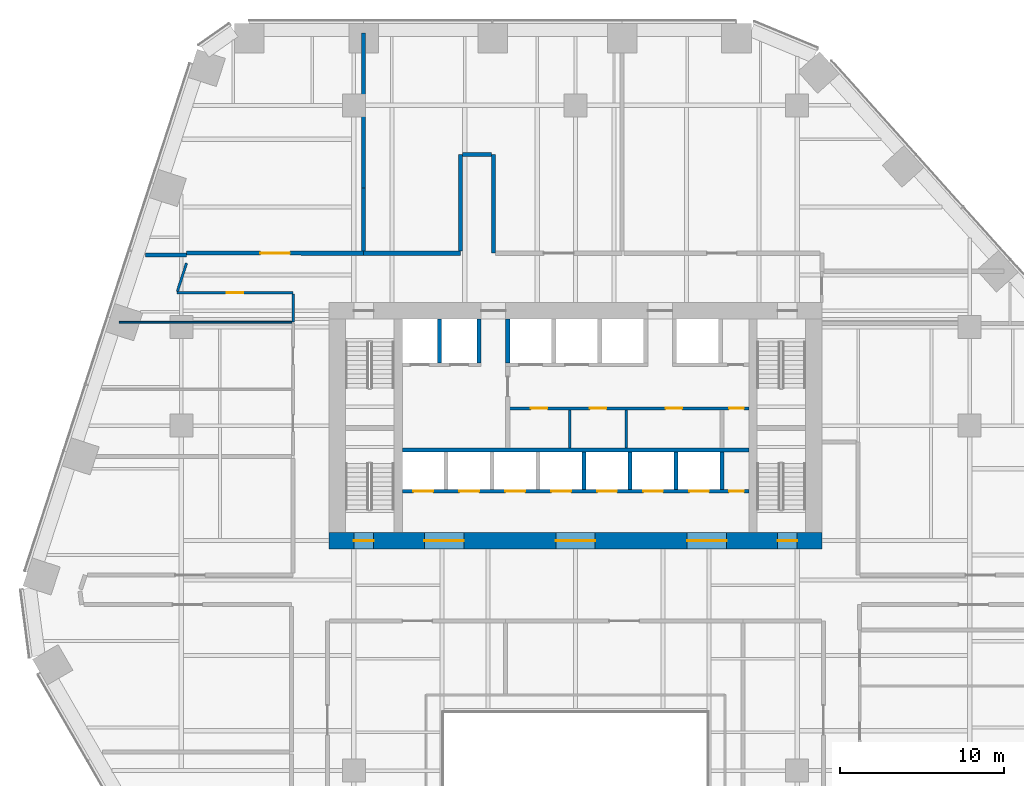
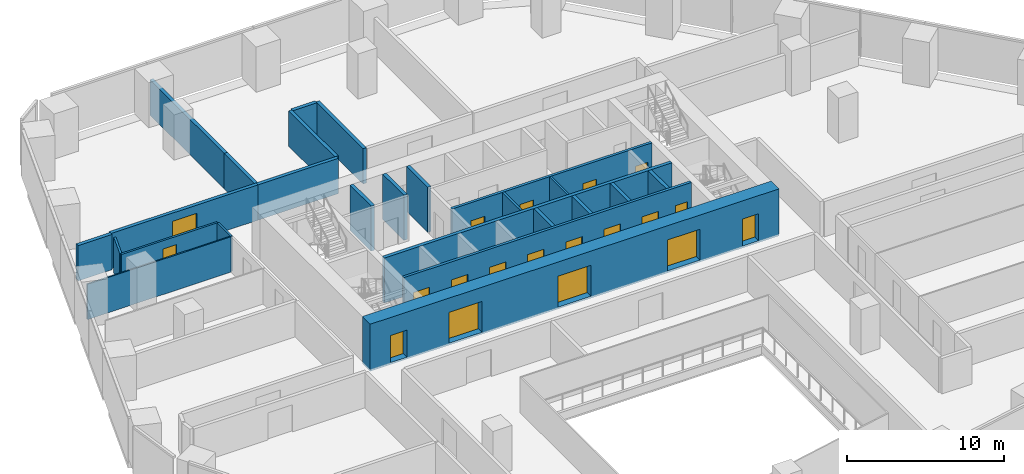
# One storey, part 15 of 20: 25 walls, 19 doors, 19 openings.
"""IFC4 building model written with IfcOpenShell, lengths in metres."""

from ifc_helpers import new_model, si_unit, direction, frame, frame_2d, origin, place, context, subcontext, project, spatial, rectangle, extrude, material, layer, layer_set, type_object, element, fill, save


model = new_model("IFC4")

# Units and contexts
model_context = context("Model", 3, precision=1e-05, world=origin(), true_north=direction((0.0, 1.0)))
body_context = subcontext(model_context, "Body", "Model", "MODEL_VIEW")
ifc_project = project(units=[si_unit("LENGTHUNIT", "METRE"), si_unit("AREAUNIT", "SQUARE_METRE"), si_unit("VOLUMEUNIT", "CUBIC_METRE"), si_unit("PLANEANGLEUNIT", "RADIAN"), si_unit("MASSUNIT", "GRAM", prefix="KILO")], contexts=[model_context])

# Site, building, storey
site_placement = place(None, origin())
site = spatial("IfcSite", under=ifc_project, at=site_placement, CompositionType="ELEMENT")
building_placement = place(site_placement, origin())
building = spatial("IfcBuilding", under=site, at=building_placement, Name="Isthmus Gate Tower", CompositionType="ELEMENT")
storey_placement = place(building_placement, frame((0.0, 0.0, 65.199951171875)))
storey = spatial("IfcBuildingStorey", under=building, at=storey_placement, Name="L14", CompositionType="ELEMENT", Elevation=65.199951171875)

# Wall
ifc_material_1 = material(Name="Double-leaf acoustic stud wall, fire-rated", Category="gypsum")
ifc_layer_1 = layer(ifc_material_1, 0.25)
ifc_layer_set_1 = layer_set([ifc_layer_1], Name="ACOUSTIC WALL 250 60 MIN")
wall_type_1 = type_object("IfcWallType", Name="ACOUSTIC WALL 250 60 MIN", PredefinedType="PARTITIONING", material=ifc_layer_set_1)
wall_1_placement = place(storey_placement, frame((-5.0, 24.0, 0.0), z_axis=(0.0, 0.0, 1.0), x_axis=(0.0, -1.0, 0.0)))
element("IfcWall", 1, at=wall_1_placement, inside=storey, type_object=wall_type_1, Name="L14 Acoustic Wall 250 60 Min", PredefinedType="PARTITIONING", context=body_context, shape_type="SweptSolid", body=[
    extrude(rectangle(XDim=6.0, YDim=0.25, at=frame_2d((3.0, 0.0))), origin(), (0.0, 0.0, 1.0), 2.7412109375),
])

# Wall, opening, door
wall_2_placement = place(storey_placement, frame((-23.68310546875, 18.001953125, 0.0), z_axis=(0.0, 0.0, 1.0), x_axis=(0.999999983581, -0.000181212763, 0.0)))
wall_2 = element("IfcWall", 2, at=wall_2_placement, inside=storey, type_object=wall_type_1, Name="L14 Acoustic Wall 250 60 Min", PredefinedType="PARTITIONING", context=body_context, shape_type="SweptSolid", body=[
    extrude(rectangle(XDim=10.778076171875, YDim=0.25, at=frame_2d((5.38916015625, 0.0))), origin(), (0.0, 0.0, 1.0), 2.7412109375),
])
opening_1_placement = place(wall_2_placement, frame((4.489013671875, 0.0, 0.0)))
opening_1 = element("IfcOpeningElement", 3, at=opening_1_placement, cuts=wall_2, Name="Opening DT-T1C-01", PredefinedType="OPENING", context=body_context, shape_type="SweptSolid", body=[
    extrude(rectangle(XDim=1.800048828125, YDim=2.10009765625, at=frame_2d((0.89990234375, 1.050048828125))), frame((0.0, 0.135009765625, 0.0), z_axis=(0.0, -1.0, 0.0), x_axis=(1.0, 0.0, 0.0)), (0.0, 0.0, 1.0), 0.27001953125),
])
ifc_material_2 = material(Name="Solid core timber door leaf, fire-rated", Category="wood")
door_type_1 = type_object("IfcDoorType", Name="FIRE DOOR ACOUSTIC ROOM 1800 X 2100 60 MIN", OperationType="DOUBLE_DOOR_DOUBLE_SWING", PredefinedType="DOOR", material=ifc_material_2)
door_1_placement = place(opening_1_placement, origin())
door_1 = element("IfcDoor", 4, at=door_1_placement, inside=storey, type_object=door_type_1, Name="L14 room door", OperationType="DOUBLE_DOOR_DOUBLE_SWING", OverallHeight=2.10009765625, OverallWidth=1.800048828125, PredefinedType="DOOR", context=body_context, shape_type="SweptSolid", body=[
    extrude(rectangle(XDim=1.800048828125, YDim=2.10009765625, at=frame_2d((0.89990234375, 1.050048828125))), frame((0.0, 0.02490234375, 0.0), z_axis=(0.0, -1.0, 0.0), x_axis=(1.0, 0.0, 0.0)), (0.0, 0.0, 1.0), 0.050048828125),
])
fill(opening_1, door_1)

# Walls
wall_3_placement = place(storey_placement, frame((-12.906982421875, 21.968017578125, 0.0), z_axis=(0.0, 0.0, 1.0), x_axis=(0.0, 1.0, 0.0)))
element("IfcWall", 5, at=wall_3_placement, inside=storey, type_object=wall_type_1, Name="L14 Acoustic Wall 250 60 Min", PredefinedType="PARTITIONING", context=body_context, shape_type="SweptSolid", body=[
    extrude(rectangle(XDim=9.431884765625, YDim=0.25, at=frame_2d((4.7158203125, 0.0))), origin(), (0.0, 0.0, 1.0), 2.7412109375),
])
wall_4_placement = place(storey_placement, frame((-26.169921875, 17.8828125, 0.0), z_axis=(0.0, 0.0, 1.0), x_axis=(0.999999763866, -0.000687217588, 0.0)))
element("IfcWall", 6, at=wall_4_placement, inside=storey, type_object=wall_type_1, Name="L14 Acoustic Wall 250 60 Min", PredefinedType="PARTITIONING", context=body_context, shape_type="SweptSolid", body=[
    extrude(rectangle(XDim=2.48681640625, YDim=0.25, at=frame_2d((1.243408203125, 0.0))), origin(), (0.0, 0.0, 1.0), 2.7412109375),
])
wall_5_placement = place(storey_placement, frame((-12.905029296875, 18.0, 0.0), z_axis=(0.0, 0.0, 1.0), x_axis=(1.0, 0.0, 0.0)))
element("IfcWall", 7, at=wall_5_placement, inside=storey, type_object=wall_type_1, Name="L14 Acoustic Wall 250 60 Min", PredefinedType="PARTITIONING", context=body_context, shape_type="SweptSolid", body=[
    extrude(rectangle(XDim=5.905029296875, YDim=0.25, at=frame_2d((2.95263671875, 0.0))), origin(), (0.0, 0.0, 1.0), 2.7412109375),
])
wall_6_placement = place(storey_placement, frame((-7.0, 18.125, 0.0), z_axis=(0.0, 0.0, 1.0), x_axis=(0.0, 1.0, 0.0)))
element("IfcWall", 8, at=wall_6_placement, inside=storey, type_object=wall_type_1, Name="L14 Acoustic Wall 250 60 Min", PredefinedType="PARTITIONING", context=body_context, shape_type="SweptSolid", body=[
    extrude(rectangle(XDim=5.875, YDim=0.25, at=frame_2d((2.9375, 0.0))), origin(), (0.0, 0.0, 1.0), 2.7412109375),
])
wall_7_placement = place(storey_placement, frame((-6.875, 24.0, 0.0), z_axis=(0.0, 0.0, 1.0), x_axis=(1.0, 0.0, 0.0)))
element("IfcWall", 9, at=wall_7_placement, inside=storey, type_object=wall_type_1, Name="L14 Acoustic Wall 250 60 Min", PredefinedType="PARTITIONING", context=body_context, shape_type="SweptSolid", body=[
    extrude(rectangle(XDim=1.75, YDim=0.25, at=frame_2d((0.875, 0.0))), origin(), (0.0, 0.0, 1.0), 2.7412109375),
])
wall_8_placement = place(storey_placement, frame((-12.906982421875, 21.968017578125, 0.0), z_axis=(0.0, 0.0, 1.0), x_axis=(0.000508226858, -0.999999870853, 0.0)))
element("IfcWall", 10, at=wall_8_placement, inside=storey, type_object=wall_type_1, Name="L14 Acoustic Wall 250 60 Min", PredefinedType="PARTITIONING", context=body_context, shape_type="SweptSolid", body=[
    extrude(rectangle(XDim=3.843017578125, YDim=0.25, at=frame_2d((1.92138671875, 0.0))), origin(), (0.0, 0.0, 1.0), 2.7412109375),
])

# Wall, opening, door
ifc_material_3 = material(Name="Gypsum board on steel studs, fire-rated", Category="steel")
ifc_layer_2 = layer(ifc_material_3, 0.14990234375)
ifc_layer_set_2 = layer_set([ifc_layer_2], Name="CORRIDOR WALL 150 60 MIN")
wall_type_2 = type_object("IfcWallType", Name="CORRIDOR WALL 150 60 MIN", PredefinedType="PARTITIONING", material=ifc_layer_set_2)
wall_9_placement = place(storey_placement, frame((-17.199951171875, 15.60009765625, 0.0), z_axis=(0.0, 0.0, 1.0), x_axis=(-1.0, 0.0, 0.0)))
wall_9 = element("IfcWall", 11, at=wall_9_placement, inside=storey, type_object=wall_type_2, Name="L14 Corridor Wall 150 60 Min", PredefinedType="PARTITIONING", context=body_context, shape_type="SweptSolid", body=[
    extrude(rectangle(XDim=7.068115234375, YDim=0.14990234375, at=frame_2d((3.5341796875, 0.0))), origin(), (0.0, 0.0, 1.0), 2.7412109375),
])
opening_2_placement = place(wall_9_placement, frame((3.033935546875, 0.0, 0.0)))
opening_2 = element("IfcOpeningElement", 12, at=opening_2_placement, cuts=wall_9, Name="Opening DT-T1C-04", PredefinedType="OPENING", context=body_context, shape_type="SweptSolid", body=[
    extrude(rectangle(XDim=1.0, YDim=2.10009765625, at=frame_2d((0.5, 1.050048828125))), frame((0.0, 0.0849609375, 0.0), z_axis=(0.0, -1.0, 0.0), x_axis=(1.0, 0.0, 0.0)), (0.0, 0.0, 1.0), 0.169921875),
])
ifc_material_4 = material(Name="Solid core timber door leaf, fire-rated", Category="wood")
door_type_2 = type_object("IfcDoorType", Name="FIRE DOOR ROOM 1000 X 2100 60 MIN", OperationType="SINGLE_SWING_LEFT", PredefinedType="DOOR", material=ifc_material_4)
door_2_placement = place(opening_2_placement, origin())
door_2 = element("IfcDoor", 13, at=door_2_placement, inside=storey, type_object=door_type_2, Name="L14 room door", OperationType="SINGLE_SWING_RIGHT", OverallHeight=2.10009765625, OverallWidth=1.0, PredefinedType="DOOR", context=body_context, shape_type="SweptSolid", body=[
    extrude(rectangle(XDim=1.0, YDim=2.10009765625, at=frame_2d((0.5, 1.050048828125))), frame((0.0, 0.02490234375, 0.0), z_axis=(0.0, -1.0, 0.0), x_axis=(1.0, 0.0, 0.0)), (0.0, 0.0, 1.0), 0.050048828125),
])
fill(opening_2, door_2)

# Walls
wall_10_placement = place(storey_placement, frame((-24.244873046875, 15.67138671875, 0.0), z_axis=(0.0, 0.0, 1.0), x_axis=(0.309086072338, 0.951034068731, 0.0)))
element("IfcWall", 14, at=wall_10_placement, inside=storey, type_object=wall_type_2, Name="L14 Corridor Wall 150 60 Min", PredefinedType="PARTITIONING", context=body_context, shape_type="SweptSolid", body=[
    extrude(rectangle(XDim=1.817626953125, YDim=0.14990234375, at=frame_2d((0.90869140625, 0.0))), origin(), (0.0, 0.0, 1.0), 2.7412109375),
])
wall_11_placement = place(storey_placement, frame((-17.199951171875, 13.799072265625, 0.0), z_axis=(0.0, 0.0, 1.0), x_axis=(0.0, 1.0, 0.0)))
element("IfcWall", 15, at=wall_11_placement, inside=storey, type_object=wall_type_2, Name="L14 Corridor Wall 150 60 Min", PredefinedType="PARTITIONING", context=body_context, shape_type="SweptSolid", body=[
    extrude(rectangle(XDim=1.725830078125, YDim=0.14990234375, at=frame_2d((0.86279296875, 0.0))), origin(), (0.0, 0.0, 1.0), 2.7412109375),
])

# Wall, openings, doors
ifc_material_5 = material(Name="Concrete f'c 70 MPa", Category="concrete")
ifc_layer_3 = layer(ifc_material_5, 1.0)
ifc_layer_set_3 = layer_set([ifc_layer_3], Name="RC CORE WALL 1000 F'C 70")
wall_type_3 = type_object("IfcWallType", Name="RC CORE WALL 1000 F'C 70", PredefinedType="SOLIDWALL", material=ifc_layer_set_3)
wall_12_placement = place(storey_placement, frame((-15.0, 0.5, -0.14990234375), z_axis=(0.0, 0.0, 1.0), x_axis=(1.0, 0.0, 0.0)))
wall_12 = element("IfcWall", 16, at=wall_12_placement, inside=storey, type_object=wall_type_3, Name="str-corewall-L14-S", PredefinedType="SOLIDWALL", context=body_context, shape_type="SweptSolid", body=[
    extrude(rectangle(XDim=30.0, YDim=1.0, at=frame_2d((15.0, 0.0))), origin(), (0.0, 0.0, 1.0), 3.64990234375),
])
opening_3_placement = place(wall_12_placement, frame((5.800048828125, 0.0, 0.14990234375)))
opening_3 = element("IfcOpeningElement", 17, at=opening_3_placement, cuts=wall_12, Name="Opening DC-A03-08", PredefinedType="OPENING", context=body_context, shape_type="SweptSolid", body=[
    extrude(rectangle(XDim=2.39990234375, YDim=2.39990234375, at=frame_2d((1.199951171875, 1.199951171875))), frame((0.0, 0.510009765625, 0.0), z_axis=(0.0, -1.0, 0.0), x_axis=(1.0, 0.0, 0.0)), (0.0, 0.0, 1.0), 1.02001953125),
])
opening_4_placement = place(wall_12_placement, frame((13.800048828125, 0.0, 0.14990234375)))
opening_4 = element("IfcOpeningElement", 18, at=opening_4_placement, cuts=wall_12, Name="Opening DC-A03-09", PredefinedType="OPENING", context=body_context, shape_type="SweptSolid", body=[
    extrude(rectangle(XDim=2.39990234375, YDim=2.39990234375, at=frame_2d((1.199951171875, 1.199951171875))), frame((0.0, 0.510009765625, 0.0), z_axis=(0.0, -1.0, 0.0), x_axis=(1.0, 0.0, 0.0)), (0.0, 0.0, 1.0), 1.02001953125),
])
opening_5_placement = place(wall_12_placement, frame((21.800048828125, 0.0, 0.14990234375)))
opening_5 = element("IfcOpeningElement", 19, at=opening_5_placement, cuts=wall_12, Name="Opening DC-A03-10", PredefinedType="OPENING", context=body_context, shape_type="SweptSolid", body=[
    extrude(rectangle(XDim=2.39990234375, YDim=2.39990234375, at=frame_2d((1.199951171875, 1.199951171875))), frame((0.0, 0.510009765625, 0.0), z_axis=(0.0, -1.0, 0.0), x_axis=(1.0, 0.0, 0.0)), (0.0, 0.0, 1.0), 1.02001953125),
])
opening_6_placement = place(wall_12_placement, frame((1.5, 0.0, 0.14990234375)))
opening_6 = element("IfcOpeningElement", 20, at=opening_6_placement, cuts=wall_12, Name="Opening DC-A03-15", PredefinedType="OPENING", context=body_context, shape_type="SweptSolid", body=[
    extrude(rectangle(XDim=1.199951171875, YDim=2.10009765625, at=frame_2d((0.60009765625, 1.050048828125))), frame((0.0, 0.510009765625, 0.0), z_axis=(0.0, -1.0, 0.0), x_axis=(1.0, 0.0, 0.0)), (0.0, 0.0, 1.0), 1.02001953125),
])
opening_7_placement = place(wall_12_placement, frame((27.300048828125, 0.0, 0.14990234375)))
opening_7 = element("IfcOpeningElement", 21, at=opening_7_placement, cuts=wall_12, Name="Opening DC-A03-16", PredefinedType="OPENING", context=body_context, shape_type="SweptSolid", body=[
    extrude(rectangle(XDim=1.199951171875, YDim=2.10009765625, at=frame_2d((0.60009765625, 1.050048828125))), frame((0.0, 0.510009765625, 0.0), z_axis=(0.0, -1.0, 0.0), x_axis=(1.0, 0.0, 0.0)), (0.0, 0.0, 1.0), 1.02001953125),
])
ifc_material_6 = material(Name="Laminated safety glass in steel frame, fire-rated", Category="steel")
door_type_3 = type_object("IfcDoorType", Name="LOBBY ENTRANCE FIRE DOOR 2400 X 2400 60 MIN", OperationType="DOUBLE_DOOR_DOUBLE_SWING", PredefinedType="DOOR", material=ifc_material_6)
door_3_placement = place(opening_3_placement, origin())
door_3 = element("IfcDoor", 22, at=door_3_placement, inside=storey, type_object=door_type_3, Name="Lobby Entrance PS-W", OperationType="DOUBLE_DOOR_DOUBLE_SWING", OverallHeight=2.39990234375, OverallWidth=2.39990234375, PredefinedType="DOOR", context=body_context, shape_type="SweptSolid", body=[
    extrude(rectangle(XDim=2.39990234375, YDim=2.39990234375, at=frame_2d((1.199951171875, 1.199951171875))), frame((0.0, 0.02490234375, 0.0), z_axis=(0.0, -1.0, 0.0), x_axis=(1.0, 0.0, 0.0)), (0.0, 0.0, 1.0), 0.050048828125),
])
fill(opening_3, door_3)
door_4_placement = place(opening_4_placement, origin())
door_4 = element("IfcDoor", 23, at=door_4_placement, inside=storey, type_object=door_type_3, Name="Lobby Entrance PS-C", OperationType="DOUBLE_DOOR_DOUBLE_SWING", OverallHeight=2.39990234375, OverallWidth=2.39990234375, PredefinedType="DOOR", context=body_context, shape_type="SweptSolid", body=[
    extrude(rectangle(XDim=2.39990234375, YDim=2.39990234375, at=frame_2d((1.199951171875, 1.199951171875))), frame((0.0, 0.02490234375, 0.0), z_axis=(0.0, -1.0, 0.0), x_axis=(1.0, 0.0, 0.0)), (0.0, 0.0, 1.0), 0.050048828125),
])
fill(opening_4, door_4)
door_5_placement = place(opening_5_placement, origin())
door_5 = element("IfcDoor", 24, at=door_5_placement, inside=storey, type_object=door_type_3, Name="Lobby Entrance PS-E", OperationType="DOUBLE_DOOR_DOUBLE_SWING", OverallHeight=2.39990234375, OverallWidth=2.39990234375, PredefinedType="DOOR", context=body_context, shape_type="SweptSolid", body=[
    extrude(rectangle(XDim=2.39990234375, YDim=2.39990234375, at=frame_2d((1.199951171875, 1.199951171875))), frame((0.0, 0.02490234375, 0.0), z_axis=(0.0, -1.0, 0.0), x_axis=(1.0, 0.0, 0.0)), (0.0, 0.0, 1.0), 0.050048828125),
])
fill(opening_5, door_5)
ifc_material_7 = material(Name="Steel door leaf, fire-rated", Category="steel")
door_type_4 = type_object("IfcDoorType", Name="STAIR FIRE DOOR 1200 X 2100 90 MIN", OperationType="SINGLE_SWING_LEFT", PredefinedType="DOOR", material=ifc_material_7)
door_6_placement = place(opening_6_placement, origin())
door_6 = element("IfcDoor", 25, at=door_6_placement, inside=storey, type_object=door_type_4, Name="Exit Stair 7 Door", OperationType="SINGLE_SWING_LEFT", OverallHeight=2.10009765625, OverallWidth=1.199951171875, PredefinedType="DOOR", context=body_context, shape_type="SweptSolid", body=[
    extrude(rectangle(XDim=1.199951171875, YDim=2.10009765625, at=frame_2d((0.60009765625, 1.050048828125))), frame((0.0, 0.02490234375, 0.0), z_axis=(0.0, -1.0, 0.0), x_axis=(1.0, 0.0, 0.0)), (0.0, 0.0, 1.0), 0.050048828125),
])
fill(opening_6, door_6)
door_7_placement = place(opening_7_placement, origin())
door_7 = element("IfcDoor", 26, at=door_7_placement, inside=storey, type_object=door_type_4, Name="Exit Stair 8 Door", OperationType="SINGLE_SWING_RIGHT", OverallHeight=2.10009765625, OverallWidth=1.199951171875, PredefinedType="DOOR", context=body_context, shape_type="SweptSolid", body=[
    extrude(rectangle(XDim=1.199951171875, YDim=2.10009765625, at=frame_2d((0.60009765625, 1.050048828125))), frame((0.0, 0.02490234375, 0.0), z_axis=(0.0, -1.0, 0.0), x_axis=(1.0, 0.0, 0.0)), (0.0, 0.0, 1.0), 0.050048828125),
])
fill(opening_7, door_7)

# Walls
ifc_material_8 = material(Name="Gypsum board on steel studs, fire-rated", Category="steel")
ifc_layer_4 = layer(ifc_material_8, 0.10009765625)
ifc_layer_set_4 = layer_set([ifc_layer_4], Name="ROOM PARTITION 100 30 MIN")
wall_type_4 = type_object("IfcWallType", Name="ROOM PARTITION 100 30 MIN", PredefinedType="PARTITIONING", material=ifc_layer_set_4)
wall_13_placement = place(storey_placement, frame((-27.797119140625, 13.799072265625, 0.0), z_axis=(0.0, 0.0, 1.0), x_axis=(1.0, 0.0, 0.0)))
element("IfcWall", 27, at=wall_13_placement, inside=storey, type_object=wall_type_4, Name="L14 Room Partition 100 30 Min", PredefinedType="PARTITIONING", context=body_context, shape_type="SweptSolid", body=[
    extrude(rectangle(XDim=10.522216796875, YDim=0.10009765625, at=frame_2d((5.26123046875, 0.0))), origin(), (0.0, 0.0, 1.0), 2.7412109375),
])
ifc_material_9 = material(Name="Gypsum board on steel studs, fire-rated", Category="steel")
ifc_layer_5 = layer(ifc_material_9, 0.14990234375)
ifc_layer_set_5 = layer_set([ifc_layer_5], Name="ROOM PARTITION 150 60 MIN")
wall_type_5 = type_object("IfcWallType", Name="ROOM PARTITION 150 60 MIN", PredefinedType="PARTITIONING", material=ifc_layer_set_5)
for number, where, z_axis, x_axis, name in (
    (28, (-0.35009765625, 6.14990234375, 0.0), (0.0, 0.0, 1.0), (0.0, 1.0, 0.0), "L14 ROOM PARTITION 150 60 MIN"),
    (29, (3.10009765625, 6.14990234375, 0.0), (0.0, 0.0, 1.0), (0.0, 1.0, 0.0), "L14 ROOM PARTITION 150 60 MIN"),
):
    element("IfcWall", number, at=place(storey_placement, frame(where, z_axis=z_axis, x_axis=x_axis)), inside=storey, type_object=wall_type_5, Name=name, PredefinedType="PARTITIONING", context=body_context, shape_type="SweptSolid", body=[
        extrude(rectangle(XDim=2.300048828125, YDim=0.14990234375, at=frame_2d((1.14990234375, 0.0))), origin(), (0.0, 0.0, 1.0), 3.5),
    ])

# Wall, openings, doors
ifc_material_10 = material(Name="Fire-rated blockwork masonry, 15 MPa", Category="masonry")
ifc_layer_6 = layer(ifc_material_10, 0.199951171875)
ifc_layer_set_6 = layer_set([ifc_layer_6], Name="SHAFT FRONT WALL 200 120 MIN")
wall_type_6 = type_object("IfcWallType", Name="SHAFT FRONT WALL 200 120 MIN", PredefinedType="PARTITIONING", material=ifc_layer_set_6)
wall_14_placement = place(storey_placement, frame((-10.550048828125, 3.5, 0.0), z_axis=(0.0, 0.0, 1.0), x_axis=(1.0, 0.0, 0.0)))
wall_14 = element("IfcWall", 30, at=wall_14_placement, inside=storey, type_object=wall_type_6, Name="L14 SHAFT FRONT WALL 200 120 MIN", PredefinedType="PARTITIONING", context=body_context, shape_type="SweptSolid", body=[
    extrude(rectangle(XDim=21.10009765625, YDim=0.199951171875, at=frame_2d((10.550048828125, 0.0))), origin(), (0.0, 0.0, 1.0), 3.5),
])
opening_8_placement = place(wall_14_placement, frame((0.675048828125, 0.0, 0.0)))
opening_8 = element("IfcOpeningElement", 31, at=opening_8_placement, cuts=wall_14, Name="Opening LD-LA1", PredefinedType="OPENING", context=body_context, shape_type="SweptSolid", body=[
    extrude(rectangle(XDim=1.199951171875, YDim=2.10009765625, at=frame_2d((0.60009765625, 1.050048828125))), frame((0.0, 0.10986328125, 0.0), z_axis=(0.0, -1.0, 0.0), x_axis=(1.0, 0.0, 0.0)), (0.0, 0.0, 1.0), 0.219970703125),
])
opening_9_placement = place(wall_14_placement, frame((3.47509765625, 0.0, 0.0)))
opening_9 = element("IfcOpeningElement", 32, at=opening_9_placement, cuts=wall_14, Name="Opening LD-LA2", PredefinedType="OPENING", context=body_context, shape_type="SweptSolid", body=[
    extrude(rectangle(XDim=1.199951171875, YDim=2.10009765625, at=frame_2d((0.60009765625, 1.050048828125))), frame((0.0, 0.10986328125, 0.0), z_axis=(0.0, -1.0, 0.0), x_axis=(1.0, 0.0, 0.0)), (0.0, 0.0, 1.0), 0.219970703125),
])
opening_10_placement = place(wall_14_placement, frame((6.27490234375, 0.0, 0.0)))
opening_10 = element("IfcOpeningElement", 33, at=opening_10_placement, cuts=wall_14, Name="Opening LD-LA3", PredefinedType="OPENING", context=body_context, shape_type="SweptSolid", body=[
    extrude(rectangle(XDim=1.199951171875, YDim=2.10009765625, at=frame_2d((0.60009765625, 1.050048828125))), frame((0.0, 0.10986328125, 0.0), z_axis=(0.0, -1.0, 0.0), x_axis=(1.0, 0.0, 0.0)), (0.0, 0.0, 1.0), 0.219970703125),
])
opening_11_placement = place(wall_14_placement, frame((9.074951171875, 0.0, 0.0)))
opening_11 = element("IfcOpeningElement", 34, at=opening_11_placement, cuts=wall_14, Name="Opening LD-LA4", PredefinedType="OPENING", context=body_context, shape_type="SweptSolid", body=[
    extrude(rectangle(XDim=1.199951171875, YDim=2.10009765625, at=frame_2d((0.60009765625, 1.050048828125))), frame((0.0, 0.10986328125, 0.0), z_axis=(0.0, -1.0, 0.0), x_axis=(1.0, 0.0, 0.0)), (0.0, 0.0, 1.0), 0.219970703125),
])
opening_12_placement = place(wall_14_placement, frame((11.875, 0.0, 0.0)))
opening_12 = element("IfcOpeningElement", 35, at=opening_12_placement, cuts=wall_14, Name="Opening LD-LA5", PredefinedType="OPENING", context=body_context, shape_type="SweptSolid", body=[
    extrude(rectangle(XDim=1.199951171875, YDim=2.10009765625, at=frame_2d((0.60009765625, 1.050048828125))), frame((0.0, 0.10986328125, 0.0), z_axis=(0.0, -1.0, 0.0), x_axis=(1.0, 0.0, 0.0)), (0.0, 0.0, 1.0), 0.219970703125),
])
opening_13_placement = place(wall_14_placement, frame((14.675048828125, 0.0, 0.0)))
opening_13 = element("IfcOpeningElement", 36, at=opening_13_placement, cuts=wall_14, Name="Opening LD-LA6", PredefinedType="OPENING", context=body_context, shape_type="SweptSolid", body=[
    extrude(rectangle(XDim=1.199951171875, YDim=2.10009765625, at=frame_2d((0.60009765625, 1.050048828125))), frame((0.0, 0.10986328125, 0.0), z_axis=(0.0, -1.0, 0.0), x_axis=(1.0, 0.0, 0.0)), (0.0, 0.0, 1.0), 0.219970703125),
])
opening_14_placement = place(wall_14_placement, frame((17.47509765625, 0.0, 0.0)))
opening_14 = element("IfcOpeningElement", 37, at=opening_14_placement, cuts=wall_14, Name="Opening LD-LA7", PredefinedType="OPENING", context=body_context, shape_type="SweptSolid", body=[
    extrude(rectangle(XDim=1.199951171875, YDim=2.10009765625, at=frame_2d((0.60009765625, 1.050048828125))), frame((0.0, 0.10986328125, 0.0), z_axis=(0.0, -1.0, 0.0), x_axis=(1.0, 0.0, 0.0)), (0.0, 0.0, 1.0), 0.219970703125),
])
opening_15_placement = place(wall_14_placement, frame((19.89990234375, 0.0, 0.0)))
opening_15 = element("IfcOpeningElement", 38, at=opening_15_placement, cuts=wall_14, Name="Opening DC-A03-02", PredefinedType="OPENING", context=body_context, shape_type="SweptSolid", body=[
    extrude(rectangle(XDim=0.89990234375, YDim=2.10009765625, at=frame_2d((0.449951171875, 1.050048828125))), frame((0.0, 0.10986328125, 0.0), z_axis=(0.0, -1.0, 0.0), x_axis=(1.0, 0.0, 0.0)), (0.0, 0.0, 1.0), 0.219970703125),
])
ifc_material_11 = material(Name="Stainless steel sliding leaf", Category="steel")
door_type_5 = type_object("IfcDoorType", Name="LIFT LANDING FIRE DOOR 1200 X 2100 90 MIN", OperationType="DOUBLE_DOOR_SLIDING", PredefinedType="DOOR", material=ifc_material_11)
door_8_placement = place(opening_8_placement, origin())
door_8 = element("IfcDoor", 39, at=door_8_placement, inside=storey, type_object=door_type_5, Name="Lift Landing Door LA1", OperationType="DOUBLE_DOOR_SLIDING", OverallHeight=2.10009765625, OverallWidth=1.199951171875, PredefinedType="DOOR", context=body_context, shape_type="SweptSolid", body=[
    extrude(rectangle(XDim=1.199951171875, YDim=2.10009765625, at=frame_2d((0.60009765625, 1.050048828125))), frame((0.0, 0.02490234375, 0.0), z_axis=(0.0, -1.0, 0.0), x_axis=(1.0, 0.0, 0.0)), (0.0, 0.0, 1.0), 0.050048828125),
])
fill(opening_8, door_8)
door_9_placement = place(opening_9_placement, origin())
door_9 = element("IfcDoor", 40, at=door_9_placement, inside=storey, type_object=door_type_5, Name="Lift Landing Door LA2", OperationType="DOUBLE_DOOR_SLIDING", OverallHeight=2.10009765625, OverallWidth=1.199951171875, PredefinedType="DOOR", context=body_context, shape_type="SweptSolid", body=[
    extrude(rectangle(XDim=1.199951171875, YDim=2.10009765625, at=frame_2d((0.60009765625, 1.050048828125))), frame((0.0, 0.02490234375, 0.0), z_axis=(0.0, -1.0, 0.0), x_axis=(1.0, 0.0, 0.0)), (0.0, 0.0, 1.0), 0.050048828125),
])
fill(opening_9, door_9)
door_10_placement = place(opening_10_placement, origin())
door_10 = element("IfcDoor", 41, at=door_10_placement, inside=storey, type_object=door_type_5, Name="Lift Landing Door LA3", OperationType="DOUBLE_DOOR_SLIDING", OverallHeight=2.10009765625, OverallWidth=1.199951171875, PredefinedType="DOOR", context=body_context, shape_type="SweptSolid", body=[
    extrude(rectangle(XDim=1.199951171875, YDim=2.10009765625, at=frame_2d((0.60009765625, 1.050048828125))), frame((0.0, 0.02490234375, 0.0), z_axis=(0.0, -1.0, 0.0), x_axis=(1.0, 0.0, 0.0)), (0.0, 0.0, 1.0), 0.050048828125),
])
fill(opening_10, door_10)
door_11_placement = place(opening_11_placement, origin())
door_11 = element("IfcDoor", 42, at=door_11_placement, inside=storey, type_object=door_type_5, Name="Lift Landing Door LA4", OperationType="DOUBLE_DOOR_SLIDING", OverallHeight=2.10009765625, OverallWidth=1.199951171875, PredefinedType="DOOR", context=body_context, shape_type="SweptSolid", body=[
    extrude(rectangle(XDim=1.199951171875, YDim=2.10009765625, at=frame_2d((0.60009765625, 1.050048828125))), frame((0.0, 0.02490234375, 0.0), z_axis=(0.0, -1.0, 0.0), x_axis=(1.0, 0.0, 0.0)), (0.0, 0.0, 1.0), 0.050048828125),
])
fill(opening_11, door_11)
door_12_placement = place(opening_12_placement, origin())
door_12 = element("IfcDoor", 43, at=door_12_placement, inside=storey, type_object=door_type_5, Name="Lift Landing Door LA5", OperationType="DOUBLE_DOOR_SLIDING", OverallHeight=2.10009765625, OverallWidth=1.199951171875, PredefinedType="DOOR", context=body_context, shape_type="SweptSolid", body=[
    extrude(rectangle(XDim=1.199951171875, YDim=2.10009765625, at=frame_2d((0.60009765625, 1.050048828125))), frame((0.0, 0.02490234375, 0.0), z_axis=(0.0, -1.0, 0.0), x_axis=(1.0, 0.0, 0.0)), (0.0, 0.0, 1.0), 0.050048828125),
])
fill(opening_12, door_12)
door_13_placement = place(opening_13_placement, origin())
door_13 = element("IfcDoor", 44, at=door_13_placement, inside=storey, type_object=door_type_5, Name="Lift Landing Door LA6", OperationType="DOUBLE_DOOR_SLIDING", OverallHeight=2.10009765625, OverallWidth=1.199951171875, PredefinedType="DOOR", context=body_context, shape_type="SweptSolid", body=[
    extrude(rectangle(XDim=1.199951171875, YDim=2.10009765625, at=frame_2d((0.60009765625, 1.050048828125))), frame((0.0, 0.02490234375, 0.0), z_axis=(0.0, -1.0, 0.0), x_axis=(1.0, 0.0, 0.0)), (0.0, 0.0, 1.0), 0.050048828125),
])
fill(opening_13, door_13)
door_14_placement = place(opening_14_placement, origin())
door_14 = element("IfcDoor", 45, at=door_14_placement, inside=storey, type_object=door_type_5, Name="Lift Landing Door LA7", OperationType="DOUBLE_DOOR_SLIDING", OverallHeight=2.10009765625, OverallWidth=1.199951171875, PredefinedType="DOOR", context=body_context, shape_type="SweptSolid", body=[
    extrude(rectangle(XDim=1.199951171875, YDim=2.10009765625, at=frame_2d((0.60009765625, 1.050048828125))), frame((0.0, 0.02490234375, 0.0), z_axis=(0.0, -1.0, 0.0), x_axis=(1.0, 0.0, 0.0)), (0.0, 0.0, 1.0), 0.050048828125),
])
fill(opening_14, door_14)
ifc_material_12 = material(Name="Steel door leaf, fire-rated", Category="steel")
door_type_6 = type_object("IfcDoorType", Name="RISER FIRE DOOR 900 X 2100 90 MIN", OperationType="SINGLE_SWING_LEFT", PredefinedType="DOOR", material=ifc_material_12)
door_15_placement = place(opening_15_placement, origin())
door_15 = element("IfcDoor", 46, at=door_15_placement, inside=storey, type_object=door_type_6, Name="Riser Door", OperationType="SINGLE_SWING_RIGHT", OverallHeight=2.10009765625, OverallWidth=0.89990234375, PredefinedType="DOOR", context=body_context, shape_type="SweptSolid", body=[
    extrude(rectangle(XDim=0.89990234375, YDim=2.10009765625, at=frame_2d((0.449951171875, 1.050048828125))), frame((0.0, 0.02490234375, 0.0), z_axis=(0.0, -1.0, 0.0), x_axis=(1.0, 0.0, 0.0)), (0.0, 0.0, 1.0), 0.050048828125),
])
fill(opening_15, door_15)

wall_15_placement = place(storey_placement, frame((-4.125, 8.550048828125, 0.0), z_axis=(0.0, 0.0, 1.0), x_axis=(1.0, 0.0, 0.0)))
wall_15 = element("IfcWall", 47, at=wall_15_placement, inside=storey, type_object=wall_type_6, Name="L14 SHAFT FRONT WALL 200 120 MIN", PredefinedType="PARTITIONING", context=body_context, shape_type="SweptSolid", body=[
    extrude(rectangle(XDim=14.675048828125, YDim=0.199951171875, at=frame_2d((7.33740234375, 0.0))), origin(), (0.0, 0.0, 1.0), 3.5),
])
opening_16_placement = place(wall_15_placement, frame((1.41259765625, 0.0, 0.0)))
opening_16 = element("IfcOpeningElement", 48, at=opening_16_placement, cuts=wall_15, Name="Opening DC-A03-03", PredefinedType="OPENING", context=body_context, shape_type="SweptSolid", body=[
    extrude(rectangle(XDim=1.0, YDim=2.10009765625, at=frame_2d((0.5, 1.050048828125))), frame((0.0, 0.10986328125, 0.0), z_axis=(0.0, -1.0, 0.0), x_axis=(1.0, 0.0, 0.0)), (0.0, 0.0, 1.0), 0.219970703125),
])
opening_17_placement = place(wall_15_placement, frame((5.0, 0.0, 0.0)))
opening_17 = element("IfcOpeningElement", 49, at=opening_17_placement, cuts=wall_15, Name="Opening DC-A03-04", PredefinedType="OPENING", context=body_context, shape_type="SweptSolid", body=[
    extrude(rectangle(XDim=1.0, YDim=2.10009765625, at=frame_2d((0.5, 1.050048828125))), frame((0.0, 0.10986328125, 0.0), z_axis=(0.0, -1.0, 0.0), x_axis=(1.0, 0.0, 0.0)), (0.0, 0.0, 1.0), 0.219970703125),
])
opening_18_placement = place(wall_15_placement, frame((9.612548828125, 0.0, 0.0)))
opening_18 = element("IfcOpeningElement", 50, at=opening_18_placement, cuts=wall_15, Name="Opening DC-A03-05", PredefinedType="OPENING", context=body_context, shape_type="SweptSolid", body=[
    extrude(rectangle(XDim=1.0, YDim=2.10009765625, at=frame_2d((0.5, 1.050048828125))), frame((0.0, 0.10986328125, 0.0), z_axis=(0.0, -1.0, 0.0), x_axis=(1.0, 0.0, 0.0)), (0.0, 0.0, 1.0), 0.219970703125),
])
opening_19_placement = place(wall_15_placement, frame((13.47509765625, 0.0, 0.0)))
opening_19 = element("IfcOpeningElement", 51, at=opening_19_placement, cuts=wall_15, Name="Opening DC-A03-06", PredefinedType="OPENING", context=body_context, shape_type="SweptSolid", body=[
    extrude(rectangle(XDim=0.89990234375, YDim=2.10009765625, at=frame_2d((0.449951171875, 1.050048828125))), frame((0.0, 0.10986328125, 0.0), z_axis=(0.0, -1.0, 0.0), x_axis=(1.0, 0.0, 0.0)), (0.0, 0.0, 1.0), 0.219970703125),
])
ifc_material_13 = material(Name="Steel door leaf, fire-rated", Category="steel")
door_type_7 = type_object("IfcDoorType", Name="FIRE DOOR 1000 X 2100 60 MIN", OperationType="SINGLE_SWING_LEFT", PredefinedType="DOOR", material=ifc_material_13)
door_16_placement = place(opening_16_placement, origin())
door_16 = element("IfcDoor", 52, at=door_16_placement, inside=storey, type_object=door_type_7, Name="WC Men Door", OperationType="SINGLE_SWING_LEFT", OverallHeight=2.10009765625, OverallWidth=1.0, PredefinedType="DOOR", context=body_context, shape_type="SweptSolid", body=[
    extrude(rectangle(XDim=1.0, YDim=2.10009765625, at=frame_2d((0.5, 1.050048828125))), frame((0.0, 0.02490234375, 0.0), z_axis=(0.0, -1.0, 0.0), x_axis=(1.0, 0.0, 0.0)), (0.0, 0.0, 1.0), 0.050048828125),
])
fill(opening_16, door_16)
door_17_placement = place(opening_17_placement, origin())
door_17 = element("IfcDoor", 53, at=door_17_placement, inside=storey, type_object=door_type_7, Name="WC Women Door", OperationType="SINGLE_SWING_RIGHT", OverallHeight=2.10009765625, OverallWidth=1.0, PredefinedType="DOOR", context=body_context, shape_type="SweptSolid", body=[
    extrude(rectangle(XDim=1.0, YDim=2.10009765625, at=frame_2d((0.5, 1.050048828125))), frame((0.0, 0.02490234375, 0.0), z_axis=(0.0, -1.0, 0.0), x_axis=(1.0, 0.0, 0.0)), (0.0, 0.0, 1.0), 0.050048828125),
])
fill(opening_17, door_17)
door_18_placement = place(opening_18_placement, origin())
door_18 = element("IfcDoor", 54, at=door_18_placement, inside=storey, type_object=door_type_7, Name="Accessible WC Door", OperationType="SINGLE_SWING_LEFT", OverallHeight=2.10009765625, OverallWidth=1.0, PredefinedType="DOOR", context=body_context, shape_type="SweptSolid", body=[
    extrude(rectangle(XDim=1.0, YDim=2.10009765625, at=frame_2d((0.5, 1.050048828125))), frame((0.0, 0.02490234375, 0.0), z_axis=(0.0, -1.0, 0.0), x_axis=(1.0, 0.0, 0.0)), (0.0, 0.0, 1.0), 0.050048828125),
])
fill(opening_18, door_18)
door_19_placement = place(opening_19_placement, origin())
door_19 = element("IfcDoor", 55, at=door_19_placement, inside=storey, type_object=door_type_6, Name="Riser Door", OperationType="SINGLE_SWING_RIGHT", OverallHeight=2.10009765625, OverallWidth=0.89990234375, PredefinedType="DOOR", context=body_context, shape_type="SweptSolid", body=[
    extrude(rectangle(XDim=0.89990234375, YDim=2.10009765625, at=frame_2d((0.449951171875, 1.050048828125))), frame((0.0, 0.02490234375, 0.0), z_axis=(0.0, -1.0, 0.0), x_axis=(1.0, 0.0, 0.0)), (0.0, 0.0, 1.0), 0.050048828125),
])
fill(opening_19, door_19)

# Walls
ifc_material_14 = material(Name="Fire-rated blockwork masonry, 15 MPa", Category="masonry")
ifc_layer_7 = layer(ifc_material_14, 0.25)
ifc_layer_set_7 = layer_set([ifc_layer_7], Name="SHAFT WALL 250 120 MIN")
wall_type_7 = type_object("IfcWallType", Name="SHAFT WALL 250 120 MIN", PredefinedType="PARTITIONING", material=ifc_layer_set_7)
wall_16_placement = place(storey_placement, frame((-10.550048828125, 6.02490234375, 0.0), z_axis=(0.0, 0.0, 1.0), x_axis=(1.0, 0.0, 0.0)))
element("IfcWall", 56, at=wall_16_placement, inside=storey, type_object=wall_type_7, Name="L14 SHAFT WALL 250 120 MIN", PredefinedType="PARTITIONING", context=body_context, shape_type="SweptSolid", body=[
    extrude(rectangle(XDim=21.10009765625, YDim=0.25, at=frame_2d((10.550048828125, 0.0))), origin(), (0.0, 0.0, 1.0), 3.5),
])
for number, where, z_axis, x_axis, name in (
    (57, (0.52490234375, 3.60009765625, 0.0), (0.0, 0.0, 1.0), (0.0, 1.0, 0.0), "L14 SHAFT WALL 250 120 MIN"),
    (58, (3.324951171875, 3.60009765625, 0.0), (0.0, 0.0, 1.0), (0.0, 1.0, 0.0), "L14 SHAFT WALL 250 120 MIN"),
    (59, (6.125, 3.60009765625, 0.0), (0.0, 0.0, 1.0), (0.0, 1.0, 0.0), "L14 SHAFT WALL 250 120 MIN"),
    (60, (8.925048828125, 3.60009765625, 0.0), (0.0, 0.0, 1.0), (0.0, 1.0, 0.0), "L14 SHAFT WALL 250 120 MIN"),
):
    element("IfcWall", number, at=place(storey_placement, frame(where, z_axis=z_axis, x_axis=x_axis)), inside=storey, type_object=wall_type_7, Name=name, PredefinedType="PARTITIONING", context=body_context, shape_type="SweptSolid", body=[
        extrude(rectangle(XDim=2.2998046875, YDim=0.25, at=frame_2d((1.14990234375, 0.0))), origin(), (0.0, 0.0, 1.0), 3.5),
    ])
for number, where, z_axis, x_axis, name in (
    (61, (-8.27490234375, 11.300048828125, 0.0), (0.0, 0.0, 1.0), (0.0, 1.0, 0.0), "L14 SHAFT WALL 250 120 MIN"),
    (62, (-5.875, 11.300048828125, 0.0), (0.0, 0.0, 1.0), (0.0, 1.0, 0.0), "L14 SHAFT WALL 250 120 MIN"),
    (63, (-4.125, 11.300048828125, 0.0), (0.0, 0.0, 1.0), (0.0, 1.0, 0.0), "L14 SHAFT WALL 250 120 MIN"),
):
    element("IfcWall", number, at=place(storey_placement, frame(where, z_axis=z_axis, x_axis=x_axis)), inside=storey, type_object=wall_type_7, Name=name, PredefinedType="PARTITIONING", context=body_context, shape_type="SweptSolid", body=[
        extrude(rectangle(XDim=2.699951171875, YDim=0.25, at=frame_2d((1.35009765625, 0.0))), origin(), (0.0, 0.0, 1.0), 3.5),
    ])

save(model, "model.ifc")
